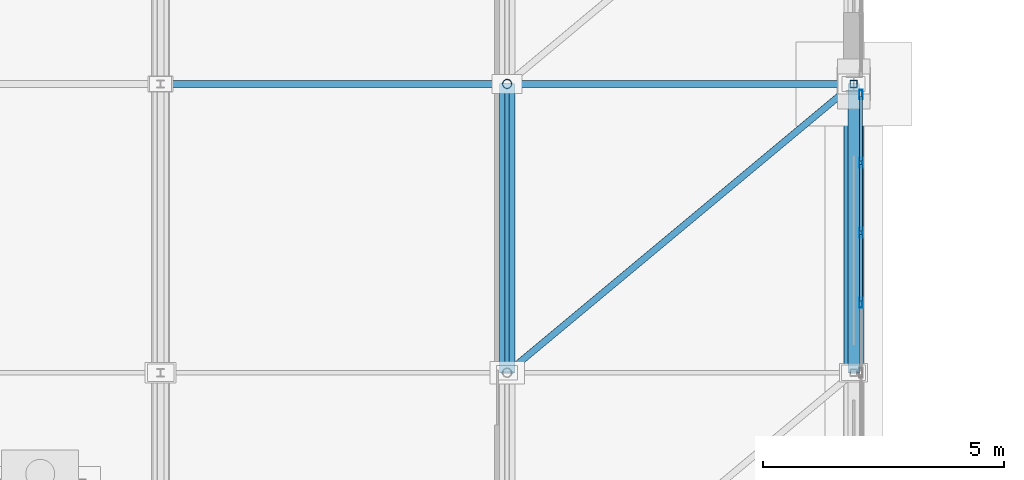
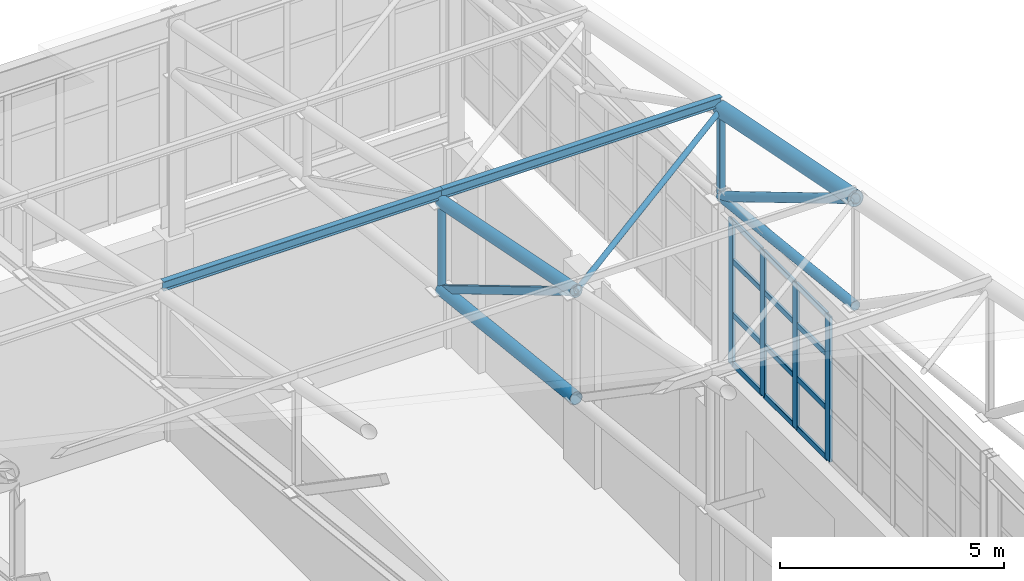
# One storey, part 225 of 293: 27 members, 1 element without a shape of its own.
"""IFC4 building model written with IfcOpenShell, lengths in metres."""

from ifc_helpers import new_model, si_unit, direction, frame, origin, origin_2d, place, context, subcontext, project, spatial, hollow_rectangle, hollow_circle, i_section, extrude, material, layer, layer_set, material_profile, profile_set, type_object, element, aggregate, save


model = new_model("IFC4")

# Units and contexts
model_context = context("Model", 3, precision=1e-05, world=origin(), true_north=direction((0.0, 1.0)))
body_context = subcontext(model_context, "Body", "Model", "MODEL_VIEW")
ifc_project = project(units=[si_unit("LENGTHUNIT", "METRE"), si_unit("AREAUNIT", "SQUARE_METRE"), si_unit("VOLUMEUNIT", "CUBIC_METRE"), si_unit("PLANEANGLEUNIT", "RADIAN"), si_unit("MASSUNIT", "GRAM", prefix="KILO")], contexts=[model_context])

# Site, building, storey
site_placement = place(None, origin())
site = spatial("IfcSite", under=ifc_project, at=site_placement, CompositionType="ELEMENT")
building_placement = place(site_placement, origin())
building = spatial("IfcBuilding", under=site, at=building_placement, Name="Kemerveld Promenade Tramway Depot", CompositionType="ELEMENT")
storey_placement = place(building_placement, origin())
storey = spatial("IfcBuildingStorey", under=building, at=storey_placement, Name="L00", CompositionType="ELEMENT", Elevation=0.0)

# Curtain wall, members
ifc_material_1 = material(Name="Bronze anodised aluminium and solar glass", Category="aluminium")
ifc_layer = layer(ifc_material_1, 0.199951171875)
ifc_layer_set = layer_set([ifc_layer], Name="CW-SYS-14")
curtain_wall_type = type_object("IfcCurtainWallType", Name="CW-SYS-14", PredefinedType="USERDEFINED", material=ifc_layer_set)
curtain_wall_placement = place(storey_placement, origin())
curtain_wall = element("IfcCurtainWall", 1, at=curtain_wall_placement, inside=storey, type_object=curtain_wall_type, Name="CW-V1-E-04", ObjectType="GLAZED_CURTAIN_WALL", PredefinedType="USERDEFINED")
ifc_material_2 = material(Name="Bronze anodised aluminium", Category="aluminium")
ifc_material_profile_1 = material_profile(ifc_material_2, hollow_rectangle(XDim=0.074951171875, YDim=0.199951171875, WallThickness=0.0048828125, InnerFilletRadius=0.001953125, OuterFilletRadius=0.0048828125, at=origin_2d()), Name="CW-MUL-200x75")
ifc_profile_set_1 = profile_set([ifc_material_profile_1], Name="Bronze anodised aluminium")
member_type_1 = type_object("IfcMemberType", Name="CW-MUL-B", PredefinedType="MULLION", material=ifc_profile_set_1)
member_1_placement = place(storey_placement, frame((187.35009765625, 131.779052734375, 6.64990234375), z_axis=(0.0, 0.0, 1.0), x_axis=(1.0, 0.0, 0.0)))
member_1 = element("IfcMember", 2, at=member_1_placement, type_object=member_type_1, Name="CW14 mullion 1", PredefinedType="MULLION", context=body_context, shape_type="SweptSolid", body=[
    extrude(hollow_rectangle(XDim=0.074951171875, YDim=0.199951171875, WallThickness=0.0048828125, InnerFilletRadius=0.001953125, OuterFilletRadius=0.0048828125, at=origin_2d()), origin(), (0.0, 0.0, 1.0), 3.9501953125),
])
member_2_placement = place(storey_placement, frame((187.35009765625, 130.3623046875, 6.64990234375), z_axis=(0.0, 0.0, 1.0), x_axis=(1.0, 0.0, 0.0)))
member_2 = element("IfcMember", 3, at=member_2_placement, type_object=member_type_1, Name="CW14 mullion 2", PredefinedType="MULLION", context=body_context, shape_type="SweptSolid", body=[
    extrude(hollow_rectangle(XDim=0.074951171875, YDim=0.199951171875, WallThickness=0.0048828125, InnerFilletRadius=0.001953125, OuterFilletRadius=0.0048828125, at=origin_2d()), origin(), (0.0, 0.0, 1.0), 3.9501953125),
])
member_3_placement = place(storey_placement, frame((187.35009765625, 128.908203125, 6.64990234375), z_axis=(0.0, 0.0, 1.0), x_axis=(1.0, 0.0, 0.0)))
member_3 = element("IfcMember", 4, at=member_3_placement, type_object=member_type_1, Name="CW14 mullion 3", PredefinedType="MULLION", context=body_context, shape_type="SweptSolid", body=[
    extrude(hollow_rectangle(XDim=0.074951171875, YDim=0.199951171875, WallThickness=0.0048828125, InnerFilletRadius=0.001953125, OuterFilletRadius=0.0048828125, at=origin_2d()), origin(), (0.0, 0.0, 1.0), 3.9501953125),
])
member_4_placement = place(storey_placement, frame((187.35009765625, 127.4541015625, 6.64990234375), z_axis=(0.0, 0.0, 1.0), x_axis=(1.0, 0.0, 0.0)))
member_4 = element("IfcMember", 5, at=member_4_placement, type_object=member_type_1, Name="CW14 mullion 4", PredefinedType="MULLION", context=body_context, shape_type="SweptSolid", body=[
    extrude(hollow_rectangle(XDim=0.074951171875, YDim=0.199951171875, WallThickness=0.0048828125, InnerFilletRadius=0.001953125, OuterFilletRadius=0.0048828125, at=origin_2d()), origin(), (0.0, 0.0, 1.0), 3.9501953125),
])
ifc_material_profile_2 = material_profile(ifc_material_2, hollow_rectangle(XDim=0.06494140625, YDim=0.14990234375, WallThickness=0.00439453125, InnerFilletRadius=0.001953125, OuterFilletRadius=0.00439453125, at=origin_2d()), Name="CW-TRN-150x65")
ifc_profile_set_2 = profile_set([ifc_material_profile_2], Name="Bronze anodised aluminium")
member_type_2 = type_object("IfcMemberType", Name="CW-TRN-B", PredefinedType="USERDEFINED", material=ifc_profile_set_2)
member_5_placement = place(storey_placement, frame((187.35009765625, 131.741455078125, 6.6826171875), z_axis=(0.0, -1.0, 0.0), x_axis=(1.0, 0.0, 0.0)))
member_5 = element("IfcMember", 6, at=member_5_placement, type_object=member_type_2, Name="CW14 transom 1.1", ObjectType="TRANSOM", PredefinedType="USERDEFINED", context=body_context, shape_type="SweptSolid", body=[
    extrude(hollow_rectangle(XDim=0.06494140625, YDim=0.14990234375, WallThickness=0.00439453125, InnerFilletRadius=0.001953125, OuterFilletRadius=0.00439453125, at=origin_2d()), origin(), (0.0, 0.0, 1.0), 1.341552734375),
])
member_6_placement = place(storey_placement, frame((187.35009765625, 131.741455078125, 8.032958984375), z_axis=(0.0, -1.0, 0.0), x_axis=(1.0, 0.0, 0.0)))
member_6 = element("IfcMember", 7, at=member_6_placement, type_object=member_type_2, Name="CW14 transom 1.2", ObjectType="TRANSOM", PredefinedType="USERDEFINED", context=body_context, shape_type="SweptSolid", body=[
    extrude(hollow_rectangle(XDim=0.06494140625, YDim=0.14990234375, WallThickness=0.00439453125, InnerFilletRadius=0.001953125, OuterFilletRadius=0.00439453125, at=origin_2d()), origin(), (0.0, 0.0, 1.0), 1.341552734375),
])
member_7_placement = place(storey_placement, frame((187.35009765625, 131.741455078125, 9.493896484375), z_axis=(0.0, -1.0, 0.0), x_axis=(1.0, 0.0, 0.0)))
member_7 = element("IfcMember", 8, at=member_7_placement, type_object=member_type_2, Name="CW14 transom 1.3", ObjectType="TRANSOM", PredefinedType="USERDEFINED", context=body_context, shape_type="SweptSolid", body=[
    extrude(hollow_rectangle(XDim=0.06494140625, YDim=0.14990234375, WallThickness=0.00439453125, InnerFilletRadius=0.001953125, OuterFilletRadius=0.00439453125, at=origin_2d()), origin(), (0.0, 0.0, 1.0), 1.341552734375),
])
member_8_placement = place(storey_placement, frame((187.35009765625, 131.741455078125, 10.5673828125), z_axis=(0.0, -1.0, 0.0), x_axis=(1.0, 0.0, 0.0)))
member_8 = element("IfcMember", 9, at=member_8_placement, type_object=member_type_2, Name="CW14 transom 1.4", ObjectType="TRANSOM", PredefinedType="USERDEFINED", context=body_context, shape_type="SweptSolid", body=[
    extrude(hollow_rectangle(XDim=0.06494140625, YDim=0.14990234375, WallThickness=0.00439453125, InnerFilletRadius=0.001953125, OuterFilletRadius=0.00439453125, at=origin_2d()), origin(), (0.0, 0.0, 1.0), 1.341552734375),
])
member_9_placement = place(storey_placement, frame((187.35009765625, 130.324951171875, 6.6826171875), z_axis=(0.0, -1.0, 0.0), x_axis=(1.0, 0.0, 0.0)))
member_9 = element("IfcMember", 10, at=member_9_placement, type_object=member_type_2, Name="CW14 transom 2.1", ObjectType="TRANSOM", PredefinedType="USERDEFINED", context=body_context, shape_type="SweptSolid", body=[
    extrude(hollow_rectangle(XDim=0.06494140625, YDim=0.14990234375, WallThickness=0.00439453125, InnerFilletRadius=0.001953125, OuterFilletRadius=0.00439453125, at=origin_2d()), origin(), (0.0, 0.0, 1.0), 1.379150390625),
])
member_10_placement = place(storey_placement, frame((187.35009765625, 130.324951171875, 8.032958984375), z_axis=(0.0, -1.0, 0.0), x_axis=(1.0, 0.0, 0.0)))
member_10 = element("IfcMember", 11, at=member_10_placement, type_object=member_type_2, Name="CW14 transom 2.2", ObjectType="TRANSOM", PredefinedType="USERDEFINED", context=body_context, shape_type="SweptSolid", body=[
    extrude(hollow_rectangle(XDim=0.06494140625, YDim=0.14990234375, WallThickness=0.00439453125, InnerFilletRadius=0.001953125, OuterFilletRadius=0.00439453125, at=origin_2d()), origin(), (0.0, 0.0, 1.0), 1.379150390625),
])
member_11_placement = place(storey_placement, frame((187.35009765625, 130.324951171875, 9.493896484375), z_axis=(0.0, -1.0, 0.0), x_axis=(1.0, 0.0, 0.0)))
member_11 = element("IfcMember", 12, at=member_11_placement, type_object=member_type_2, Name="CW14 transom 2.3", ObjectType="TRANSOM", PredefinedType="USERDEFINED", context=body_context, shape_type="SweptSolid", body=[
    extrude(hollow_rectangle(XDim=0.06494140625, YDim=0.14990234375, WallThickness=0.00439453125, InnerFilletRadius=0.001953125, OuterFilletRadius=0.00439453125, at=origin_2d()), origin(), (0.0, 0.0, 1.0), 1.379150390625),
])
member_12_placement = place(storey_placement, frame((187.35009765625, 130.324951171875, 10.5673828125), z_axis=(0.0, -1.0, 0.0), x_axis=(1.0, 0.0, 0.0)))
member_12 = element("IfcMember", 13, at=member_12_placement, type_object=member_type_2, Name="CW14 transom 2.4", ObjectType="TRANSOM", PredefinedType="USERDEFINED", context=body_context, shape_type="SweptSolid", body=[
    extrude(hollow_rectangle(XDim=0.06494140625, YDim=0.14990234375, WallThickness=0.00439453125, InnerFilletRadius=0.001953125, OuterFilletRadius=0.00439453125, at=origin_2d()), origin(), (0.0, 0.0, 1.0), 1.379150390625),
])
member_13_placement = place(storey_placement, frame((187.35009765625, 128.870849609375, 6.6826171875), z_axis=(0.0, -1.0, 0.0), x_axis=(1.0, 0.0, 0.0)))
member_13 = element("IfcMember", 14, at=member_13_placement, type_object=member_type_2, Name="CW14 transom 3.1", ObjectType="TRANSOM", PredefinedType="USERDEFINED", context=body_context, shape_type="SweptSolid", body=[
    extrude(hollow_rectangle(XDim=0.06494140625, YDim=0.14990234375, WallThickness=0.00439453125, InnerFilletRadius=0.001953125, OuterFilletRadius=0.00439453125, at=origin_2d()), origin(), (0.0, 0.0, 1.0), 1.379150390625),
])
member_14_placement = place(storey_placement, frame((187.35009765625, 128.870849609375, 8.032958984375), z_axis=(0.0, -1.0, 0.0), x_axis=(1.0, 0.0, 0.0)))
member_14 = element("IfcMember", 15, at=member_14_placement, type_object=member_type_2, Name="CW14 transom 3.2", ObjectType="TRANSOM", PredefinedType="USERDEFINED", context=body_context, shape_type="SweptSolid", body=[
    extrude(hollow_rectangle(XDim=0.06494140625, YDim=0.14990234375, WallThickness=0.00439453125, InnerFilletRadius=0.001953125, OuterFilletRadius=0.00439453125, at=origin_2d()), origin(), (0.0, 0.0, 1.0), 1.379150390625),
])
member_15_placement = place(storey_placement, frame((187.35009765625, 128.870849609375, 9.493896484375), z_axis=(0.0, -1.0, 0.0), x_axis=(1.0, 0.0, 0.0)))
member_15 = element("IfcMember", 16, at=member_15_placement, type_object=member_type_2, Name="CW14 transom 3.3", ObjectType="TRANSOM", PredefinedType="USERDEFINED", context=body_context, shape_type="SweptSolid", body=[
    extrude(hollow_rectangle(XDim=0.06494140625, YDim=0.14990234375, WallThickness=0.00439453125, InnerFilletRadius=0.001953125, OuterFilletRadius=0.00439453125, at=origin_2d()), origin(), (0.0, 0.0, 1.0), 1.379150390625),
])
member_16_placement = place(storey_placement, frame((187.35009765625, 128.870849609375, 10.5673828125), z_axis=(0.0, -1.0, 0.0), x_axis=(1.0, 0.0, 0.0)))
member_16 = element("IfcMember", 17, at=member_16_placement, type_object=member_type_2, Name="CW14 transom 3.4", ObjectType="TRANSOM", PredefinedType="USERDEFINED", context=body_context, shape_type="SweptSolid", body=[
    extrude(hollow_rectangle(XDim=0.06494140625, YDim=0.14990234375, WallThickness=0.00439453125, InnerFilletRadius=0.001953125, OuterFilletRadius=0.00439453125, at=origin_2d()), origin(), (0.0, 0.0, 1.0), 1.379150390625),
])
aggregate(curtain_wall, [member_1, member_2, member_3, member_4, member_5, member_6, member_7, member_8, member_9, member_10, member_11, member_12, member_13, member_14, member_15, member_16])

# Members
ifc_material_3 = material(Name="Steel S355", Category="steel")
ifc_material_profile_3 = material_profile(ifc_material_3, hollow_rectangle(XDim=0.10009765625, YDim=0.199951171875, WallThickness=0.008056640625, InnerFilletRadius=0.00390625, OuterFilletRadius=0.011962890625, at=origin_2d()), Name="200x100x8.0 RHS")
ifc_profile_set_3 = profile_set([ifc_material_profile_3], Name="Steel S355")
member_type_3 = type_object("IfcMemberType", Name="MB-M03", PredefinedType="BRACE", material=ifc_profile_set_3)
member_17_placement = place(storey_placement, frame((180.0, 132.0, 11.1201171875), z_axis=(0.0, -0.8587636701, 0.512371895128), x_axis=(1.0, 0.0, 0.0)))
element("IfcMember", 18, at=member_17_placement, inside=storey, type_object=member_type_3, Name="TR-26-DG-08", PredefinedType="BRACE", context=body_context, shape_type="SweptSolid", body=[
    extrude(hollow_rectangle(XDim=0.10009765625, YDim=0.199951171875, WallThickness=0.008056640625, InnerFilletRadius=0.00390625, OuterFilletRadius=0.011962890625, at=origin_2d()), origin(), (0.0, 0.0, 1.0), 6.98681640625),
])
ifc_material_profile_4 = material_profile(ifc_material_3, i_section(OverallWidth=0.146484375, OverallDepth=0.256103515625, WebThickness=0.00634765625, FlangeThickness=0.010986328125, FilletRadius=0.007568359375, at=origin_2d()), Name="254x146x37 UB")
ifc_profile_set_4 = profile_set([ifc_material_profile_4], Name="Steel S355")
member_type_4 = type_object("IfcMemberType", Name="MB-PR3", PredefinedType="PURLIN", material=ifc_profile_set_4)
for number, where, z_axis, x_axis, name in (
    (19, (172.800048828125, 132.0, 13.7451171875), (1.0, 0.0, 0.0), (0.0, 1.0, 0.0), "PUR-V1-08-25"),
    (20, (180.0, 132.0, 13.7451171875), (1.0, 0.0, 0.0), (0.0, 1.0, 0.0), "PUR-V1-08-26"),
):
    element("IfcMember", number, at=place(storey_placement, frame(where, z_axis=z_axis, x_axis=x_axis)), inside=storey, type_object=member_type_4, Name=name, PredefinedType="PURLIN", context=body_context, shape_type="SweptSolid", body=[
        extrude(i_section(OverallWidth=0.146484375, OverallDepth=0.256103515625, WebThickness=0.00634765625, FlangeThickness=0.010986328125, FilletRadius=0.007568359375, at=origin_2d()), origin(), (0.0, 0.0, 1.0), 7.199951171875),
    ])
ifc_material_profile_5 = material_profile(ifc_material_3, hollow_circle(Radius=0.122314453125, WallThickness=0.010009765625, at=origin_2d()), Name="244.5x10.0 CHS")
ifc_profile_set_5 = profile_set([ifc_material_profile_5], Name="Steel S355")
member_type_5 = type_object("IfcMemberType", Name="MB-TB1", PredefinedType="BRACE", material=ifc_profile_set_5)
member_18_placement = place(storey_placement, frame((187.199951171875, 132.0, 11.1201171875), z_axis=(0.0, -0.8587636701, 0.512371895128), x_axis=(1.0, 0.0, 0.0)))
element("IfcMember", 21, at=member_18_placement, inside=storey, type_object=member_type_5, Name="TR-27-DG-08", PredefinedType="BRACE", context=body_context, shape_type="SweptSolid", body=[
    extrude(hollow_circle(Radius=0.122314453125, WallThickness=0.010009765625, at=origin_2d()), origin(), (0.0, 0.0, 1.0), 6.98681640625),
])
ifc_material_profile_6 = material_profile(ifc_material_3, hollow_circle(Radius=0.06982421875, WallThickness=0.00634765625, at=origin_2d()), Name="139.7x6.3 CHS")
ifc_profile_set_6 = profile_set([ifc_material_profile_6], Name="Steel S355")
member_type_6 = type_object("IfcMemberType", Name="MB-TB3", PredefinedType="BRACE", material=ifc_profile_set_6)
member_19_placement = place(storey_placement, frame((180.0, 126.0, 14.699951171875), z_axis=(0.761999094998, 0.635003552225, -0.126995542773), x_axis=(-0.640186961885, 0.768219144407, 0.0)))
element("IfcMember", 22, at=member_19_placement, inside=storey, type_object=member_type_6, Name="RBR-V1-07-26", PredefinedType="BRACE", context=body_context, shape_type="SweptSolid", body=[
    extrude(hollow_circle(Radius=0.06982421875, WallThickness=0.00634765625, at=origin_2d()), origin(), (0.0, 0.0, 1.0), 9.44873046875),
])
ifc_material_profile_7 = material_profile(ifc_material_3, hollow_circle(Radius=0.203125, WallThickness=0.01611328125, at=origin_2d()), Name="406.4x16.0 CHS")
ifc_profile_set_7 = profile_set([ifc_material_profile_7], Name="Steel S355")
member_type_7 = type_object("IfcMemberType", Name="MB-TC1", PredefinedType="CHORD", material=ifc_profile_set_7)
member_20_placement = place(storey_placement, frame((187.199951171875, 126.0, 14.699951171875), z_axis=(0.0, 0.980582210276, -0.196108462057), x_axis=(-1.0, 0.0, 0.0)))
element("IfcMember", 23, at=member_20_placement, inside=storey, type_object=member_type_7, Name="TR-27-TC-08", PredefinedType="CHORD", context=body_context, shape_type="SweptSolid", body=[
    extrude(hollow_circle(Radius=0.203125, WallThickness=0.01611328125, at=origin_2d()), origin(), (0.0, 0.0, 1.0), 6.118896484375),
])
ifc_material_profile_8 = material_profile(ifc_material_3, hollow_circle(Radius=0.161865234375, WallThickness=0.012451171875, at=origin_2d()), Name="323.9x12.5 CHS")
ifc_profile_set_8 = profile_set([ifc_material_profile_8], Name="Steel S355")
member_type_8 = type_object("IfcMemberType", Name="MB-TC2", PredefinedType="CHORD", material=ifc_profile_set_8)
member_21_placement = place(storey_placement, frame((180.0, 126.0, 14.699951171875), z_axis=(0.0, 0.980582210276, -0.196108462057), x_axis=(-1.0, 0.0, 0.0)))
element("IfcMember", 24, at=member_21_placement, inside=storey, type_object=member_type_8, Name="TR-26-TC-08", PredefinedType="CHORD", context=body_context, shape_type="SweptSolid", body=[
    extrude(hollow_circle(Radius=0.161865234375, WallThickness=0.012451171875, at=origin_2d()), origin(), (0.0, 0.0, 1.0), 6.118896484375),
])
member_22_placement = place(storey_placement, frame((180.0, 126.0, 11.780029296875), z_axis=(0.0, 0.994005938353, -0.109326092585), x_axis=(-1.0, 0.0, 0.0)))
element("IfcMember", 25, at=member_22_placement, inside=storey, type_object=member_type_8, Name="TR-26-BC-08", PredefinedType="CHORD", context=body_context, shape_type="SweptSolid", body=[
    extrude(hollow_circle(Radius=0.161865234375, WallThickness=0.012451171875, at=origin_2d()), origin(), (0.0, 0.0, 1.0), 6.0361328125),
])
ifc_material_profile_9 = material_profile(ifc_material_3, hollow_circle(Radius=0.122314453125, WallThickness=0.010009765625, at=origin_2d()), Name="244.5x10.0 CHS")
ifc_profile_set_9 = profile_set([ifc_material_profile_9], Name="Steel S355")
member_type_9 = type_object("IfcMemberType", Name="MB-TC3", PredefinedType="CHORD", material=ifc_profile_set_9)
member_23_placement = place(storey_placement, frame((187.199951171875, 126.0, 11.780029296875), z_axis=(0.0, 0.994005938353, -0.109326092585), x_axis=(-1.0, 0.0, 0.0)))
element("IfcMember", 26, at=member_23_placement, inside=storey, type_object=member_type_9, Name="TR-27-BC-08", PredefinedType="CHORD", context=body_context, shape_type="SweptSolid", body=[
    extrude(hollow_circle(Radius=0.122314453125, WallThickness=0.010009765625, at=origin_2d()), origin(), (0.0, 0.0, 1.0), 6.0361328125),
])
ifc_material_profile_10 = material_profile(ifc_material_3, hollow_circle(Radius=0.096923828125, WallThickness=0.008056640625, at=origin_2d()), Name="193.7x8.0 CHS")
ifc_profile_set_10 = profile_set([ifc_material_profile_10], Name="Steel S355")
member_type_10 = type_object("IfcMemberType", Name="MB-TP1", PredefinedType="POST", material=ifc_profile_set_10)
member_24_placement = place(storey_placement, frame((180.0, 132.0, 11.1201171875), z_axis=(0.0, 0.0, 1.0), x_axis=(1.0, 0.0, 0.0)))
element("IfcMember", 27, at=member_24_placement, inside=storey, type_object=member_type_10, Name="TR-26-VT-08", PredefinedType="POST", context=body_context, shape_type="SweptSolid", body=[
    extrude(hollow_circle(Radius=0.096923828125, WallThickness=0.008056640625, at=origin_2d()), origin(), (0.0, 0.0, 1.0), 2.3798828125),
])
ifc_material_profile_11 = material_profile(ifc_material_3, hollow_rectangle(XDim=0.14990234375, YDim=0.14990234375, WallThickness=0.008056640625, InnerFilletRadius=0.00390625, OuterFilletRadius=0.011962890625, at=origin_2d()), Name="150x150x8.0 SHS")
ifc_profile_set_11 = profile_set([ifc_material_profile_11], Name="Steel S355")
member_type_11 = type_object("IfcMemberType", Name="MB-TP2", PredefinedType="POST", material=ifc_profile_set_11)
member_25_placement = place(storey_placement, frame((187.199951171875, 132.0, 11.1201171875), z_axis=(0.0, 0.0, 1.0), x_axis=(1.0, 0.0, 0.0)))
element("IfcMember", 28, at=member_25_placement, inside=storey, type_object=member_type_11, Name="TR-27-VT-08", PredefinedType="POST", context=body_context, shape_type="SweptSolid", body=[
    extrude(hollow_rectangle(XDim=0.14990234375, YDim=0.14990234375, WallThickness=0.008056640625, InnerFilletRadius=0.00390625, OuterFilletRadius=0.011962890625, at=origin_2d()), origin(), (0.0, 0.0, 1.0), 2.3798828125),
])

save(model, "model.ifc")
